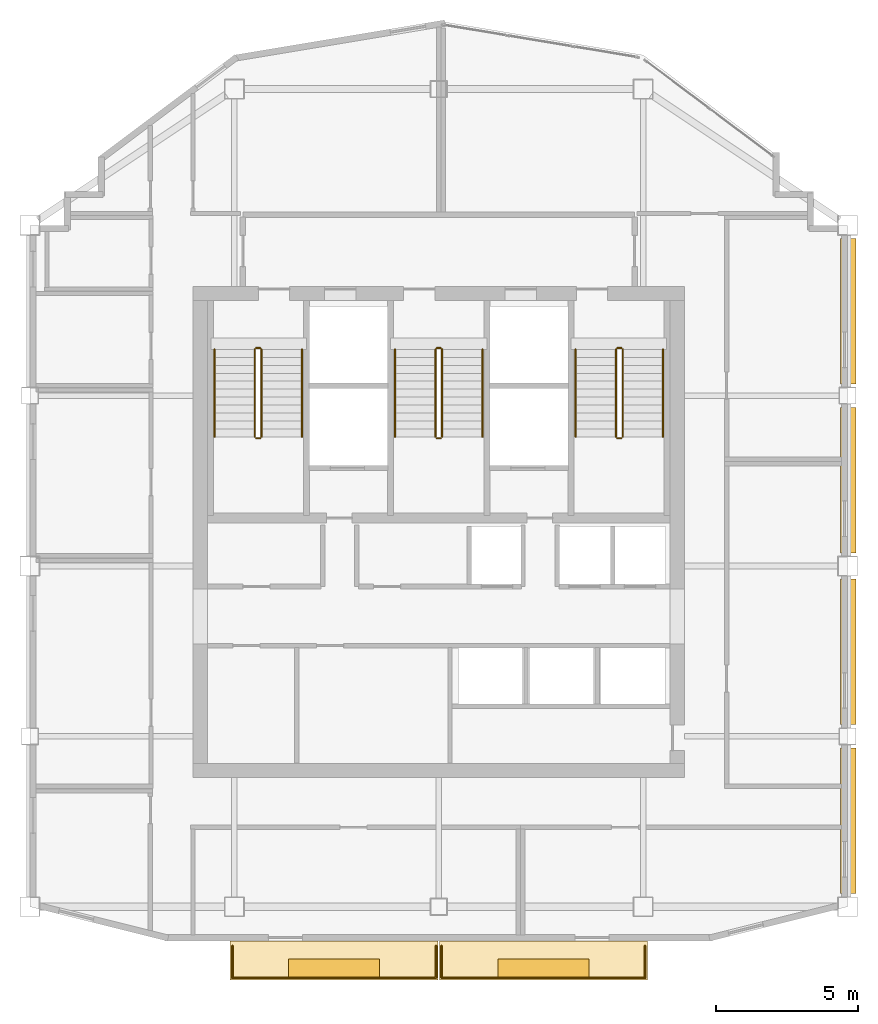
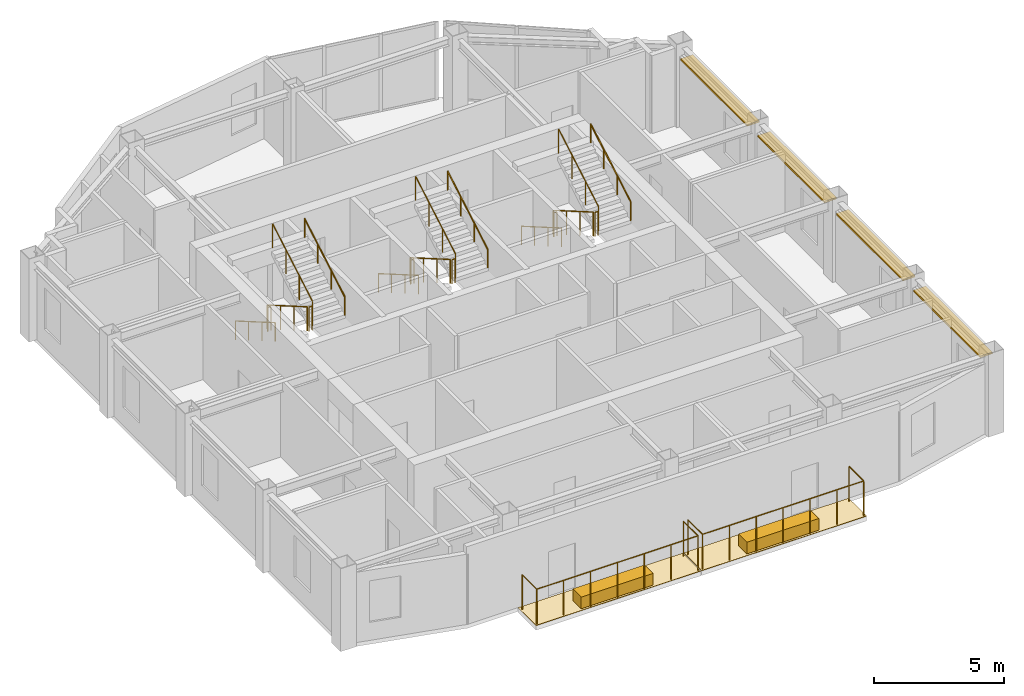
# One storey, part 8 of 8: 22 railings, 4 coverings, 4 shading devices.
"""IFC4 building model written with IfcOpenShell, lengths in metres."""

from ifc_helpers import new_model, si_unit, direction, frame, origin, origin_2d, place, context, subcontext, project, spatial, polyline, rectangle, circle, outline, extrude, material, layer, layer_set, type_object, element, save


model = new_model("IFC4")

# Units and contexts
model_context = context("Model", 3, precision=1e-05, world=origin(), true_north=direction((0.0, 1.0)))
body_context = subcontext(model_context, "Body", "Model", "MODEL_VIEW")
ifc_project = project(units=[si_unit("LENGTHUNIT", "METRE"), si_unit("AREAUNIT", "SQUARE_METRE"), si_unit("VOLUMEUNIT", "CUBIC_METRE"), si_unit("PLANEANGLEUNIT", "RADIAN"), si_unit("MASSUNIT", "GRAM", prefix="KILO")], contexts=[model_context])

# Site, building, storey
site_placement = place(None, origin())
site = spatial("IfcSite", under=ifc_project, at=site_placement, CompositionType="ELEMENT")
building_placement = place(site_placement, origin())
building = spatial("IfcBuilding", under=site, at=building_placement, Name="Haolan Belvedere Tower", CompositionType="ELEMENT")
storey_placement = place(building_placement, frame((0.0, 0.0, 309.5)))
storey = spatial("IfcBuildingStorey", under=building, at=storey_placement, Name="L78", CompositionType="ELEMENT", Elevation=309.5)

# Coverings
ifc_material_1 = material(Name="Engineered lightweight planted garden soil substrate", Category="masonry")
ifc_layer_1 = layer(ifc_material_1, 0.550048828125, Name="Engineered lightweight planted garden soil substrate")
ifc_layer_set_1 = layer_set([ifc_layer_1], Name="Engineered lightweight planted garden soil substrate")
covering_type_1 = type_object("IfcCoveringType", Name="COV-PLANT-550", PredefinedType="MEMBRANE", material=ifc_layer_set_1)
for number, where, z_axis, x_axis, name in (
    (1, (34.715087890625, 19.43994140625, 0.0), (0.0, 0.0, 1.0), (1.0, 0.0, 0.0), "L78 structural tree balcony PLANTER box 1"),
    (2, (42.0849609375, 19.43994140625, 0.0), (0.0, 0.0, 1.0), (1.0, 0.0, 0.0), "L78 structural tree balcony PLANTER box 2"),
):
    element("IfcCovering", number, at=place(storey_placement, frame(where, z_axis=z_axis, x_axis=x_axis)), inside=storey, type_object=covering_type_1, Name=name, PredefinedType="MEMBRANE", context=body_context, shape_type="SweptSolid", body=[
        extrude(rectangle(XDim=3.199951171875, YDim=0.64990234375, at=origin_2d()), origin(), (0.0, 0.0, 1.0), 0.550048828125),
    ])
ifc_material_2 = material(Name="Elastomeric waterproof roofing membrane and stone pavers", Category="masonry")
ifc_layer_2 = layer(ifc_material_2, 0.02001953125, Name="Elastomeric waterproof roofing membrane and stone pavers")
ifc_layer_set_2 = layer_set([ifc_layer_2], Name="Elastomeric waterproof roofing membrane and stone pavers")
covering_type_2 = type_object("IfcCoveringType", Name="COV-ROOF-20", PredefinedType="ROOFING", material=ifc_layer_set_2)
covering_1_placement = place(storey_placement, frame((0.0, 0.0, -0.02001953125)))
element("IfcCovering", 3, at=covering_1_placement, inside=storey, type_object=covering_type_2, Name="L78 tree-balcony waterproof membrane 1", PredefinedType="ROOFING", context=body_context, shape_type="SweptSolid", body=[
    extrude(outline(polyline([(31.050048828125, 19.02001953125), (38.3798828125, 19.02001953125), (38.3798828125, 20.39990234375), (31.050048828125, 20.39990234375), (31.050048828125, 19.02001953125)])), origin(), (0.0, 0.0, 1.0), 0.02001953125),
])
covering_2_placement = place(storey_placement, frame((0.0, 0.0, -0.02001953125)))
element("IfcCovering", 4, at=covering_2_placement, inside=storey, type_object=covering_type_2, Name="L78 tree-balcony waterproof membrane 2", PredefinedType="ROOFING", context=body_context, shape_type="SweptSolid", body=[
    extrude(outline(polyline([(38.419921875, 19.02001953125), (45.75, 19.02001953125), (45.75, 20.39990234375), (38.419921875, 20.39990234375), (38.419921875, 19.02001953125)])), origin(), (0.0, 0.0, 1.0), 0.02001953125),
])

# Railings
ifc_material_3 = material(Name="Brushed stainless steel 304", Category="steel")
railing_type_1 = type_object("IfcRailingType", Name="RL-STAIR-GRD-1150", PredefinedType="GUARDRAIL", material=ifc_material_3)
railing_1_placement = place(storey_placement, frame((31.919921875, 41.22998046875, 0.16259765625)))
element("IfcRailing", 5, at=railing_1_placement, inside=storey, type_object=railing_type_1, Name="L78 ST1 stair guard 1", PredefinedType="GUARDRAIL", context=body_context, shape_type="SweptSolid", body=[
    extrude(circle(Radius=0.02392578125, at=origin_2d()), frame((0.0, 0.0, 1.1259765625), z_axis=(0.0, -0.864920483161, 0.501908913857), x_axis=(1.0, 0.0, 0.0)), (0.0, 0.0, 1.0), 3.56103515625),
    extrude(circle(Radius=0.02099609375, at=origin_2d()), origin(), (0.0, 0.0, 1.0), 1.101806640625),
    extrude(circle(Radius=0.02099609375, at=origin_2d()), frame((0.0, -1.026611328125, 0.595703125)), (0.0, 0.0, 1.0), 1.101806640625),
    extrude(circle(Radius=0.02099609375, at=origin_2d()), frame((0.0, -2.053466796875, 1.191650390625)), (0.0, 0.0, 1.0), 1.101806640625),
    extrude(circle(Radius=0.02099609375, at=origin_2d()), frame((0.0, -3.080078125, 1.787353515625)), (0.0, 0.0, 1.0), 1.101806640625),
])
railing_2_placement = place(storey_placement, frame((31.969970703125, 38.10009765625, 1.949951171875)))
element("IfcRailing", 6, at=railing_2_placement, inside=storey, type_object=railing_type_1, Name="L78 ST1 stair guard 2", PredefinedType="GUARDRAIL", context=body_context, shape_type="SweptSolid", body=[
    extrude(circle(Radius=0.02392578125, at=origin_2d()), frame((0.0, 0.0, 1.1259765625), z_axis=(1.0, 0.0, 0.0), x_axis=(0.0, 1.0, 0.0)), (0.0, 0.0, 1.0), 0.14013671875),
    extrude(circle(Radius=0.02099609375, at=origin_2d()), origin(), (0.0, 0.0, 1.0), 1.101806640625),
    extrude(circle(Radius=0.02099609375, at=origin_2d()), frame((0.14013671875, 0.0, 0.0)), (0.0, 0.0, 1.0), 1.101806640625),
])
railing_3_placement = place(storey_placement, frame((32.159912109375, 38.14990234375, 2.112548828125)))
element("IfcRailing", 7, at=railing_3_placement, inside=storey, type_object=railing_type_1, Name="L78 ST1 stair guard 3", PredefinedType="GUARDRAIL", context=body_context, shape_type="SweptSolid", body=[
    extrude(circle(Radius=0.02392578125, at=origin_2d()), frame((0.0, 0.0, 1.1259765625), z_axis=(0.0, 0.864920483161, 0.501908913857), x_axis=(-1.0, 0.0, 0.0)), (0.0, 0.0, 1.0), 3.56103515625),
    extrude(circle(Radius=0.02099609375, at=origin_2d()), origin(), (0.0, 0.0, 1.0), 1.101806640625),
    extrude(circle(Radius=0.02099609375, at=origin_2d()), frame((0.0, 1.026611328125, 0.595703125)), (0.0, 0.0, 1.0), 1.101806640625),
    extrude(circle(Radius=0.02099609375, at=origin_2d()), frame((0.0, 2.053466796875, 1.191650390625)), (0.0, 0.0, 1.0), 1.101806640625),
    extrude(circle(Radius=0.02099609375, at=origin_2d()), frame((0.0, 3.080078125, 1.787353515625)), (0.0, 0.0, 1.0), 1.101806640625),
])
railing_4_placement = place(storey_placement, frame((31.969970703125, 41.280029296875, 0.0)))
element("IfcRailing", 8, at=railing_4_placement, inside=storey, type_object=railing_type_1, Name="L78 ST1 stair guard 4", PredefinedType="GUARDRAIL", context=body_context, shape_type="SweptSolid", body=[
    extrude(circle(Radius=0.02392578125, at=origin_2d()), frame((0.0, 0.0, 1.1259765625), z_axis=(1.0, 0.0, 0.0), x_axis=(0.0, 1.0, 0.0)), (0.0, 0.0, 1.0), 0.14013671875),
    extrude(circle(Radius=0.02099609375, at=origin_2d()), origin(), (0.0, 0.0, 1.0), 1.101806640625),
    extrude(circle(Radius=0.02099609375, at=origin_2d()), frame((0.14013671875, 0.0, 0.0)), (0.0, 0.0, 1.0), 1.101806640625),
])
railing_5_placement = place(storey_placement, frame((38.280029296875, 41.22998046875, 0.16259765625)))
element("IfcRailing", 9, at=railing_5_placement, inside=storey, type_object=railing_type_1, Name="L78 ST3 stair guard 1", PredefinedType="GUARDRAIL", context=body_context, shape_type="SweptSolid", body=[
    extrude(circle(Radius=0.02392578125, at=origin_2d()), frame((0.0, 0.0, 1.1259765625), z_axis=(0.0, -0.864920483161, 0.501908913857), x_axis=(1.0, 0.0, 0.0)), (0.0, 0.0, 1.0), 3.56103515625),
    extrude(circle(Radius=0.02099609375, at=origin_2d()), origin(), (0.0, 0.0, 1.0), 1.101806640625),
    extrude(circle(Radius=0.02099609375, at=origin_2d()), frame((0.0, -1.026611328125, 0.595703125)), (0.0, 0.0, 1.0), 1.101806640625),
    extrude(circle(Radius=0.02099609375, at=origin_2d()), frame((0.0, -2.053466796875, 1.191650390625)), (0.0, 0.0, 1.0), 1.101806640625),
    extrude(circle(Radius=0.02099609375, at=origin_2d()), frame((0.0, -3.080078125, 1.787353515625)), (0.0, 0.0, 1.0), 1.101806640625),
])
railing_6_placement = place(storey_placement, frame((38.330078125, 38.10009765625, 1.949951171875)))
element("IfcRailing", 10, at=railing_6_placement, inside=storey, type_object=railing_type_1, Name="L78 ST3 stair guard 2", PredefinedType="GUARDRAIL", context=body_context, shape_type="SweptSolid", body=[
    extrude(circle(Radius=0.02392578125, at=origin_2d()), frame((0.0, 0.0, 1.1259765625), z_axis=(1.0, 0.0, 0.0), x_axis=(0.0, 1.0, 0.0)), (0.0, 0.0, 1.0), 0.139892578125),
    extrude(circle(Radius=0.02099609375, at=origin_2d()), origin(), (0.0, 0.0, 1.0), 1.101806640625),
    extrude(circle(Radius=0.02099609375, at=origin_2d()), frame((0.139892578125, 0.0, 0.0)), (0.0, 0.0, 1.0), 1.101806640625),
])
railing_7_placement = place(storey_placement, frame((38.52001953125, 38.14990234375, 2.112548828125)))
element("IfcRailing", 11, at=railing_7_placement, inside=storey, type_object=railing_type_1, Name="L78 ST3 stair guard 3", PredefinedType="GUARDRAIL", context=body_context, shape_type="SweptSolid", body=[
    extrude(circle(Radius=0.02392578125, at=origin_2d()), frame((0.0, 0.0, 1.1259765625), z_axis=(0.0, 0.864920483161, 0.501908913857), x_axis=(-1.0, 0.0, 0.0)), (0.0, 0.0, 1.0), 3.56103515625),
    extrude(circle(Radius=0.02099609375, at=origin_2d()), origin(), (0.0, 0.0, 1.0), 1.101806640625),
    extrude(circle(Radius=0.02099609375, at=origin_2d()), frame((0.0, 1.026611328125, 0.595703125)), (0.0, 0.0, 1.0), 1.101806640625),
    extrude(circle(Radius=0.02099609375, at=origin_2d()), frame((0.0, 2.053466796875, 1.191650390625)), (0.0, 0.0, 1.0), 1.101806640625),
    extrude(circle(Radius=0.02099609375, at=origin_2d()), frame((0.0, 3.080078125, 1.787353515625)), (0.0, 0.0, 1.0), 1.101806640625),
])
railing_8_placement = place(storey_placement, frame((38.330078125, 41.280029296875, 0.0)))
element("IfcRailing", 12, at=railing_8_placement, inside=storey, type_object=railing_type_1, Name="L78 ST3 stair guard 4", PredefinedType="GUARDRAIL", context=body_context, shape_type="SweptSolid", body=[
    extrude(circle(Radius=0.02392578125, at=origin_2d()), frame((0.0, 0.0, 1.1259765625), z_axis=(1.0, 0.0, 0.0), x_axis=(0.0, 1.0, 0.0)), (0.0, 0.0, 1.0), 0.139892578125),
    extrude(circle(Radius=0.02099609375, at=origin_2d()), origin(), (0.0, 0.0, 1.0), 1.101806640625),
    extrude(circle(Radius=0.02099609375, at=origin_2d()), frame((0.139892578125, 0.0, 0.0)), (0.0, 0.0, 1.0), 1.101806640625),
])
railing_9_placement = place(storey_placement, frame((44.639892578125, 41.22998046875, 0.16259765625)))
element("IfcRailing", 13, at=railing_9_placement, inside=storey, type_object=railing_type_1, Name="L78 ST2 stair guard 1", PredefinedType="GUARDRAIL", context=body_context, shape_type="SweptSolid", body=[
    extrude(circle(Radius=0.02392578125, at=origin_2d()), frame((0.0, 0.0, 1.1259765625), z_axis=(0.0, -0.864920483161, 0.501908913857), x_axis=(1.0, 0.0, 0.0)), (0.0, 0.0, 1.0), 3.56103515625),
    extrude(circle(Radius=0.02099609375, at=origin_2d()), origin(), (0.0, 0.0, 1.0), 1.101806640625),
    extrude(circle(Radius=0.02099609375, at=origin_2d()), frame((0.0, -1.026611328125, 0.595703125)), (0.0, 0.0, 1.0), 1.101806640625),
    extrude(circle(Radius=0.02099609375, at=origin_2d()), frame((0.0, -2.053466796875, 1.191650390625)), (0.0, 0.0, 1.0), 1.101806640625),
    extrude(circle(Radius=0.02099609375, at=origin_2d()), frame((0.0, -3.080078125, 1.787353515625)), (0.0, 0.0, 1.0), 1.101806640625),
])
railing_10_placement = place(storey_placement, frame((44.68994140625, 38.10009765625, 1.949951171875)))
element("IfcRailing", 14, at=railing_10_placement, inside=storey, type_object=railing_type_1, Name="L78 ST2 stair guard 2", PredefinedType="GUARDRAIL", context=body_context, shape_type="SweptSolid", body=[
    extrude(circle(Radius=0.02392578125, at=origin_2d()), frame((0.0, 0.0, 1.1259765625), z_axis=(1.0, 0.0, 0.0), x_axis=(0.0, 1.0, 0.0)), (0.0, 0.0, 1.0), 0.14013671875),
    extrude(circle(Radius=0.02099609375, at=origin_2d()), origin(), (0.0, 0.0, 1.0), 1.101806640625),
    extrude(circle(Radius=0.02099609375, at=origin_2d()), frame((0.14013671875, 0.0, 0.0)), (0.0, 0.0, 1.0), 1.101806640625),
])
railing_11_placement = place(storey_placement, frame((44.8798828125, 38.14990234375, 2.112548828125)))
element("IfcRailing", 15, at=railing_11_placement, inside=storey, type_object=railing_type_1, Name="L78 ST2 stair guard 3", PredefinedType="GUARDRAIL", context=body_context, shape_type="SweptSolid", body=[
    extrude(circle(Radius=0.02392578125, at=origin_2d()), frame((0.0, 0.0, 1.1259765625), z_axis=(0.0, 0.864920483161, 0.501908913857), x_axis=(-1.0, 0.0, 0.0)), (0.0, 0.0, 1.0), 3.56103515625),
    extrude(circle(Radius=0.02099609375, at=origin_2d()), origin(), (0.0, 0.0, 1.0), 1.101806640625),
    extrude(circle(Radius=0.02099609375, at=origin_2d()), frame((0.0, 1.026611328125, 0.595703125)), (0.0, 0.0, 1.0), 1.101806640625),
    extrude(circle(Radius=0.02099609375, at=origin_2d()), frame((0.0, 2.053466796875, 1.191650390625)), (0.0, 0.0, 1.0), 1.101806640625),
    extrude(circle(Radius=0.02099609375, at=origin_2d()), frame((0.0, 3.080078125, 1.787353515625)), (0.0, 0.0, 1.0), 1.101806640625),
])
railing_12_placement = place(storey_placement, frame((44.68994140625, 41.280029296875, 0.0)))
element("IfcRailing", 16, at=railing_12_placement, inside=storey, type_object=railing_type_1, Name="L78 ST2 stair guard 4", PredefinedType="GUARDRAIL", context=body_context, shape_type="SweptSolid", body=[
    extrude(circle(Radius=0.02392578125, at=origin_2d()), frame((0.0, 0.0, 1.1259765625), z_axis=(1.0, 0.0, 0.0), x_axis=(0.0, 1.0, 0.0)), (0.0, 0.0, 1.0), 0.14013671875),
    extrude(circle(Radius=0.02099609375, at=origin_2d()), origin(), (0.0, 0.0, 1.0), 1.101806640625),
    extrude(circle(Radius=0.02099609375, at=origin_2d()), frame((0.14013671875, 0.0, 0.0)), (0.0, 0.0, 1.0), 1.101806640625),
])
railing_type_2 = type_object("IfcRailingType", Name="RL-STAIR-HND-900", PredefinedType="HANDRAIL", material=ifc_material_3)
railing_13_placement = place(storey_placement, frame((30.5, 41.22998046875, 0.16259765625)))
element("IfcRailing", 17, at=railing_13_placement, inside=storey, type_object=railing_type_2, Name="L78 ST1 stair handrail 1", PredefinedType="HANDRAIL", context=body_context, shape_type="SweptSolid", body=[
    extrude(circle(Radius=0.02392578125, at=origin_2d()), frame((0.0, 0.0, 0.8759765625), z_axis=(0.0, -0.864920483161, 0.501908913857), x_axis=(1.0, 0.0, 0.0)), (0.0, 0.0, 1.0), 3.56103515625),
    extrude(circle(Radius=0.02099609375, at=origin_2d()), origin(), (0.0, 0.0, 1.0), 0.851806640625),
    extrude(circle(Radius=0.02099609375, at=origin_2d()), frame((0.0, -1.026611328125, 0.595703125)), (0.0, 0.0, 1.0), 0.851806640625),
    extrude(circle(Radius=0.02099609375, at=origin_2d()), frame((0.0, -2.053466796875, 1.191650390625)), (0.0, 0.0, 1.0), 0.851806640625),
    extrude(circle(Radius=0.02099609375, at=origin_2d()), frame((0.0, -3.080078125, 1.787353515625)), (0.0, 0.0, 1.0), 0.851806640625),
])
railing_14_placement = place(storey_placement, frame((33.580078125, 38.14990234375, 2.112548828125)))
element("IfcRailing", 18, at=railing_14_placement, inside=storey, type_object=railing_type_2, Name="L78 ST1 stair handrail 2", PredefinedType="HANDRAIL", context=body_context, shape_type="SweptSolid", body=[
    extrude(circle(Radius=0.02392578125, at=origin_2d()), frame((0.0, 0.0, 0.8759765625), z_axis=(0.0, 0.864920483161, 0.501908913857), x_axis=(-1.0, 0.0, 0.0)), (0.0, 0.0, 1.0), 3.56103515625),
    extrude(circle(Radius=0.02099609375, at=origin_2d()), origin(), (0.0, 0.0, 1.0), 0.851806640625),
    extrude(circle(Radius=0.02099609375, at=origin_2d()), frame((0.0, 1.026611328125, 0.595703125)), (0.0, 0.0, 1.0), 0.851806640625),
    extrude(circle(Radius=0.02099609375, at=origin_2d()), frame((0.0, 2.053466796875, 1.191650390625)), (0.0, 0.0, 1.0), 0.851806640625),
    extrude(circle(Radius=0.02099609375, at=origin_2d()), frame((0.0, 3.080078125, 1.787353515625)), (0.0, 0.0, 1.0), 0.851806640625),
])
railing_15_placement = place(storey_placement, frame((36.860107421875, 41.22998046875, 0.16259765625)))
element("IfcRailing", 19, at=railing_15_placement, inside=storey, type_object=railing_type_2, Name="L78 ST3 stair handrail 1", PredefinedType="HANDRAIL", context=body_context, shape_type="SweptSolid", body=[
    extrude(circle(Radius=0.02392578125, at=origin_2d()), frame((0.0, 0.0, 0.8759765625), z_axis=(0.0, -0.864920483161, 0.501908913857), x_axis=(1.0, 0.0, 0.0)), (0.0, 0.0, 1.0), 3.56103515625),
    extrude(circle(Radius=0.02099609375, at=origin_2d()), origin(), (0.0, 0.0, 1.0), 0.851806640625),
    extrude(circle(Radius=0.02099609375, at=origin_2d()), frame((0.0, -1.026611328125, 0.595703125)), (0.0, 0.0, 1.0), 0.851806640625),
    extrude(circle(Radius=0.02099609375, at=origin_2d()), frame((0.0, -2.053466796875, 1.191650390625)), (0.0, 0.0, 1.0), 0.851806640625),
    extrude(circle(Radius=0.02099609375, at=origin_2d()), frame((0.0, -3.080078125, 1.787353515625)), (0.0, 0.0, 1.0), 0.851806640625),
])
railing_16_placement = place(storey_placement, frame((39.93994140625, 38.14990234375, 2.112548828125)))
element("IfcRailing", 20, at=railing_16_placement, inside=storey, type_object=railing_type_2, Name="L78 ST3 stair handrail 2", PredefinedType="HANDRAIL", context=body_context, shape_type="SweptSolid", body=[
    extrude(circle(Radius=0.02392578125, at=origin_2d()), frame((0.0, 0.0, 0.8759765625), z_axis=(0.0, 0.864920483161, 0.501908913857), x_axis=(-1.0, 0.0, 0.0)), (0.0, 0.0, 1.0), 3.56103515625),
    extrude(circle(Radius=0.02099609375, at=origin_2d()), origin(), (0.0, 0.0, 1.0), 0.851806640625),
    extrude(circle(Radius=0.02099609375, at=origin_2d()), frame((0.0, 1.026611328125, 0.595703125)), (0.0, 0.0, 1.0), 0.851806640625),
    extrude(circle(Radius=0.02099609375, at=origin_2d()), frame((0.0, 2.053466796875, 1.191650390625)), (0.0, 0.0, 1.0), 0.851806640625),
    extrude(circle(Radius=0.02099609375, at=origin_2d()), frame((0.0, 3.080078125, 1.787353515625)), (0.0, 0.0, 1.0), 0.851806640625),
])
railing_17_placement = place(storey_placement, frame((43.219970703125, 41.22998046875, 0.16259765625)))
element("IfcRailing", 21, at=railing_17_placement, inside=storey, type_object=railing_type_2, Name="L78 ST2 stair handrail 1", PredefinedType="HANDRAIL", context=body_context, shape_type="SweptSolid", body=[
    extrude(circle(Radius=0.02392578125, at=origin_2d()), frame((0.0, 0.0, 0.8759765625), z_axis=(0.0, -0.864920483161, 0.501908913857), x_axis=(1.0, 0.0, 0.0)), (0.0, 0.0, 1.0), 3.56103515625),
    extrude(circle(Radius=0.02099609375, at=origin_2d()), origin(), (0.0, 0.0, 1.0), 0.851806640625),
    extrude(circle(Radius=0.02099609375, at=origin_2d()), frame((0.0, -1.026611328125, 0.595703125)), (0.0, 0.0, 1.0), 0.851806640625),
    extrude(circle(Radius=0.02099609375, at=origin_2d()), frame((0.0, -2.053466796875, 1.191650390625)), (0.0, 0.0, 1.0), 0.851806640625),
    extrude(circle(Radius=0.02099609375, at=origin_2d()), frame((0.0, -3.080078125, 1.787353515625)), (0.0, 0.0, 1.0), 0.851806640625),
])
railing_18_placement = place(storey_placement, frame((46.300048828125, 38.14990234375, 2.112548828125)))
element("IfcRailing", 22, at=railing_18_placement, inside=storey, type_object=railing_type_2, Name="L78 ST2 stair handrail 2", PredefinedType="HANDRAIL", context=body_context, shape_type="SweptSolid", body=[
    extrude(circle(Radius=0.02392578125, at=origin_2d()), frame((0.0, 0.0, 0.8759765625), z_axis=(0.0, 0.864920483161, 0.501908913857), x_axis=(-1.0, 0.0, 0.0)), (0.0, 0.0, 1.0), 3.56103515625),
    extrude(circle(Radius=0.02099609375, at=origin_2d()), origin(), (0.0, 0.0, 1.0), 0.851806640625),
    extrude(circle(Radius=0.02099609375, at=origin_2d()), frame((0.0, 1.026611328125, 0.595703125)), (0.0, 0.0, 1.0), 0.851806640625),
    extrude(circle(Radius=0.02099609375, at=origin_2d()), frame((0.0, 2.053466796875, 1.191650390625)), (0.0, 0.0, 1.0), 0.851806640625),
    extrude(circle(Radius=0.02099609375, at=origin_2d()), frame((0.0, 3.080078125, 1.787353515625)), (0.0, 0.0, 1.0), 0.851806640625),
])
ifc_material_4 = material(Name="Anodised aluminium and laminated glass balustrade", Category="aluminium")
railing_type_3 = type_object("IfcRailingType", Name="RL-TER-BAL-1150", PredefinedType="BALUSTRADE", material=ifc_material_4)
railing_19_placement = place(storey_placement, frame((31.1298828125, 19.10009765625, 0.0)))
element("IfcRailing", 23, at=railing_19_placement, inside=storey, type_object=railing_type_3, Name="L78 outdoor perimeter balustrade BAL-L78-1-1", PredefinedType="BALUSTRADE", context=body_context, shape_type="SweptSolid", body=[
    extrude(circle(Radius=0.02392578125, at=origin_2d()), frame((0.0, 0.0, 1.6259765625), z_axis=(0.0, 1.0, 0.0), x_axis=(-1.0, 0.0, 0.0)), (0.0, 0.0, 1.0), 1.119873046875),
    extrude(circle(Radius=0.02099609375, at=origin_2d()), origin(), (0.0, 0.0, 1.0), 1.601806640625),
    extrude(circle(Radius=0.02099609375, at=origin_2d()), frame((0.0, 1.119873046875, 0.0)), (0.0, 0.0, 1.0), 1.601806640625),
])
railing_20_placement = place(storey_placement, frame((38.300048828125, 20.219970703125, 0.0)))
element("IfcRailing", 24, at=railing_20_placement, inside=storey, type_object=railing_type_3, Name="L78 outdoor perimeter balustrade BAL-L78-1-2", PredefinedType="BALUSTRADE", context=body_context, shape_type="SweptSolid", body=[
    extrude(circle(Radius=0.02392578125, at=origin_2d()), frame((0.0, 0.0, 1.6259765625), z_axis=(0.0, -1.0, 0.0), x_axis=(1.0, 0.0, 0.0)), (0.0, 0.0, 1.0), 1.119873046875),
    extrude(circle(Radius=0.02392578125, at=origin_2d()), frame((0.0, -1.119873046875, 1.6259765625), z_axis=(-1.0, 0.0, 0.0), x_axis=(0.0, -1.0, 0.0)), (0.0, 0.0, 1.0), 7.170166015625),
    extrude(circle(Radius=0.02099609375, at=origin_2d()), origin(), (0.0, 0.0, 1.0), 1.601806640625),
    extrude(circle(Radius=0.02099609375, at=origin_2d()), frame((0.0, -1.119873046875, 0.0)), (0.0, 0.0, 1.0), 1.601806640625),
    extrude(circle(Radius=0.02099609375, at=origin_2d()), frame((-1.195068359375, -1.119873046875, 0.0)), (0.0, 0.0, 1.0), 1.601806640625),
    extrude(circle(Radius=0.02099609375, at=origin_2d()), frame((-2.39013671875, -1.119873046875, 0.0)), (0.0, 0.0, 1.0), 1.601806640625),
    extrude(circle(Radius=0.02099609375, at=origin_2d()), frame((-3.5849609375, -1.119873046875, 0.0)), (0.0, 0.0, 1.0), 1.601806640625),
    extrude(circle(Radius=0.02099609375, at=origin_2d()), frame((-4.780029296875, -1.119873046875, 0.0)), (0.0, 0.0, 1.0), 1.601806640625),
    extrude(circle(Radius=0.02099609375, at=origin_2d()), frame((-5.97509765625, -1.119873046875, 0.0)), (0.0, 0.0, 1.0), 1.601806640625),
    extrude(circle(Radius=0.02099609375, at=origin_2d()), frame((-7.170166015625, -1.119873046875, 0.0)), (0.0, 0.0, 1.0), 1.601806640625),
])
railing_21_placement = place(storey_placement, frame((38.5, 19.10009765625, 0.0)))
element("IfcRailing", 25, at=railing_21_placement, inside=storey, type_object=railing_type_3, Name="L78 outdoor perimeter balustrade BAL-L78-2-1", PredefinedType="BALUSTRADE", context=body_context, shape_type="SweptSolid", body=[
    extrude(circle(Radius=0.02392578125, at=origin_2d()), frame((0.0, 0.0, 1.6259765625), z_axis=(0.0, 1.0, 0.0), x_axis=(-1.0, 0.0, 0.0)), (0.0, 0.0, 1.0), 1.119873046875),
    extrude(circle(Radius=0.02099609375, at=origin_2d()), origin(), (0.0, 0.0, 1.0), 1.601806640625),
    extrude(circle(Radius=0.02099609375, at=origin_2d()), frame((0.0, 1.119873046875, 0.0)), (0.0, 0.0, 1.0), 1.601806640625),
])
railing_22_placement = place(storey_placement, frame((45.669921875, 20.219970703125, 0.0)))
element("IfcRailing", 26, at=railing_22_placement, inside=storey, type_object=railing_type_3, Name="L78 outdoor perimeter balustrade BAL-L78-2-2", PredefinedType="BALUSTRADE", context=body_context, shape_type="SweptSolid", body=[
    extrude(circle(Radius=0.02392578125, at=origin_2d()), frame((0.0, 0.0, 1.6259765625), z_axis=(0.0, -1.0, 0.0), x_axis=(1.0, 0.0, 0.0)), (0.0, 0.0, 1.0), 1.119873046875),
    extrude(circle(Radius=0.02392578125, at=origin_2d()), frame((0.0, -1.119873046875, 1.6259765625), z_axis=(-1.0, 0.0, 0.0), x_axis=(0.0, -1.0, 0.0)), (0.0, 0.0, 1.0), 7.169921875),
    extrude(circle(Radius=0.02099609375, at=origin_2d()), origin(), (0.0, 0.0, 1.0), 1.601806640625),
    extrude(circle(Radius=0.02099609375, at=origin_2d()), frame((0.0, -1.119873046875, 0.0)), (0.0, 0.0, 1.0), 1.601806640625),
    extrude(circle(Radius=0.02099609375, at=origin_2d()), frame((-1.195068359375, -1.119873046875, 0.0)), (0.0, 0.0, 1.0), 1.601806640625),
    extrude(circle(Radius=0.02099609375, at=origin_2d()), frame((-2.389892578125, -1.119873046875, 0.0)), (0.0, 0.0, 1.0), 1.601806640625),
    extrude(circle(Radius=0.02099609375, at=origin_2d()), frame((-3.5849609375, -1.119873046875, 0.0)), (0.0, 0.0, 1.0), 1.601806640625),
    extrude(circle(Radius=0.02099609375, at=origin_2d()), frame((-4.780029296875, -1.119873046875, 0.0)), (0.0, 0.0, 1.0), 1.601806640625),
    extrude(circle(Radius=0.02099609375, at=origin_2d()), frame((-5.974853515625, -1.119873046875, 0.0)), (0.0, 0.0, 1.0), 1.601806640625),
    extrude(circle(Radius=0.02099609375, at=origin_2d()), frame((-7.169921875, -1.119873046875, 0.0)), (0.0, 0.0, 1.0), 1.601806640625),
])

# Shading devices
ifc_material_5 = material(Name="Anodised champagne-silver aluminium 6063-T6", Category="aluminium")
ifc_layer_3 = layer(ifc_material_5, 0.080078125, Name="Anodised champagne-silver aluminium 6063-T6")
ifc_layer_set_3 = layer_set([ifc_layer_3], Name="Anodised champagne-silver aluminium 6063-T6")
shading_device_type = type_object("IfcShadingDeviceType", Name="SHD-SUN-550", PredefinedType="USERDEFINED", material=ifc_layer_set_3)
for number, where, z_axis, x_axis, name in (
    (27, (52.830078125, 24.625, 3.205078125), (0.0, 0.0, 1.0), (0.0, 1.0, 0.0), "L78 pale-metal horizontal SUNSHADE band 3.1"),
    (28, (52.830078125, 30.574951171875, 3.205078125), (0.0, 0.0, 1.0), (0.0, 1.0, 0.0), "L78 pale-metal horizontal SUNSHADE band 3.2"),
    (29, (52.830078125, 36.625, 3.205078125), (0.0, 0.0, 1.0), (0.0, 1.0, 0.0), "L78 pale-metal horizontal SUNSHADE band 3.3"),
    (30, (52.830078125, 42.574951171875, 3.205078125), (0.0, 0.0, 1.0), (0.0, 1.0, 0.0), "L78 pale-metal horizontal SUNSHADE band 3.4"),
):
    element("IfcShadingDevice", number, at=place(storey_placement, frame(where, z_axis=z_axis, x_axis=x_axis)), inside=storey, type_object=shading_device_type, Name=name, ObjectType="SUNSHADE", PredefinedType="USERDEFINED", context=body_context, shape_type="SweptSolid", body=[
        extrude(rectangle(XDim=5.1259765625, YDim=0.550048828125, at=origin_2d()), origin(), (0.0, 0.0, 1.0), 0.080078125),
    ])

save(model, "model.ifc")
